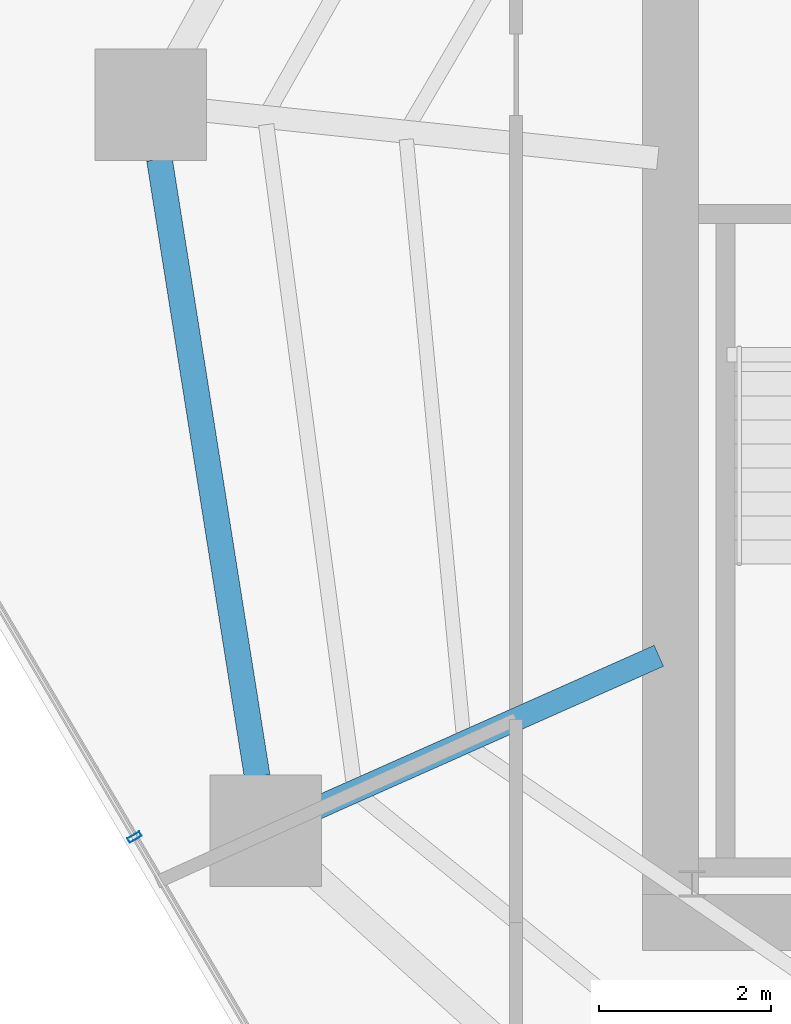
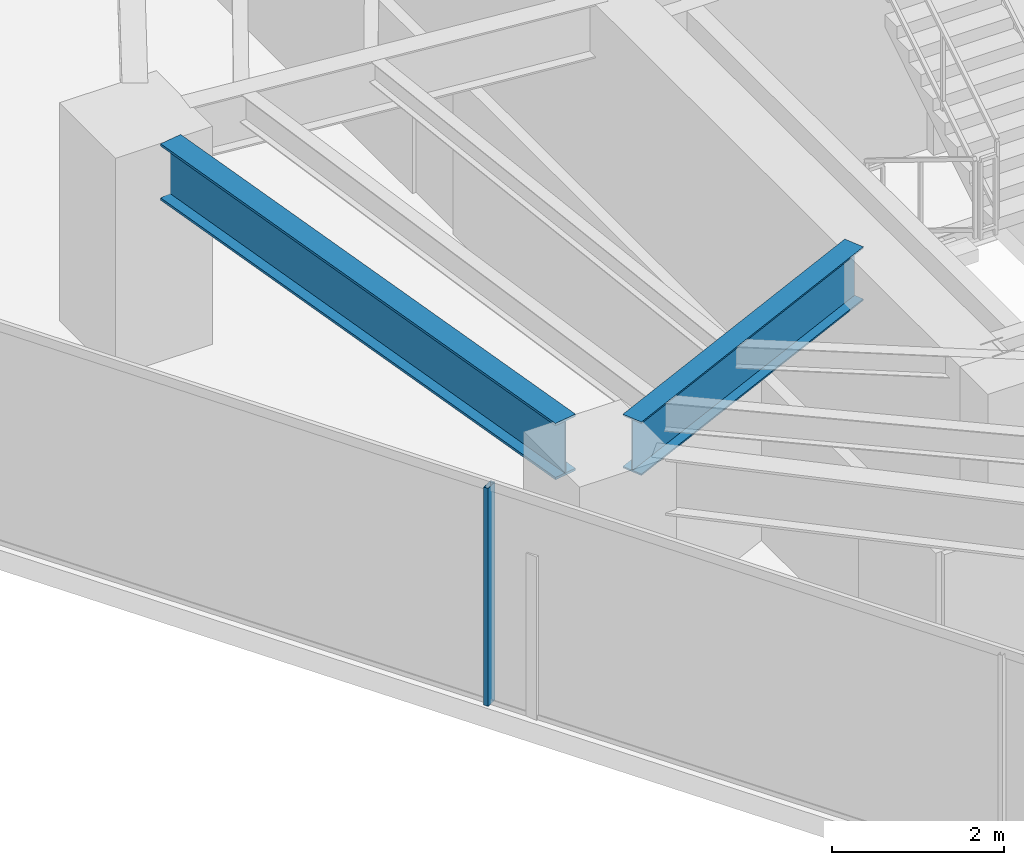
# One storey, part 7 of 31: 2 beams, 1 member, 1 element without a shape of its own.
"""IFC4 building model written with IfcOpenShell, lengths in metres."""

from ifc_helpers import new_model, si_unit, direction, frame, origin, origin_2d, place, context, subcontext, project, spatial, hollow_rectangle, i_section, extrude, material, layer, layer_set, material_profile, profile_set, type_object, element, aggregate, save


model = new_model("IFC4")

# Units and contexts
model_context = context("Model", 3, precision=1e-05, world=origin(), true_north=direction((0.0, 1.0)))
body_context = subcontext(model_context, "Body", "Model", "MODEL_VIEW")
ifc_project = project(units=[si_unit("LENGTHUNIT", "METRE"), si_unit("AREAUNIT", "SQUARE_METRE"), si_unit("VOLUMEUNIT", "CUBIC_METRE"), si_unit("PLANEANGLEUNIT", "RADIAN"), si_unit("MASSUNIT", "GRAM", prefix="KILO")], contexts=[model_context])

# Site, building, storey
site_placement = place(None, origin())
site = spatial("IfcSite", under=ifc_project, at=site_placement, CompositionType="ELEMENT")
building_placement = place(site_placement, origin())
building = spatial("IfcBuilding", under=site, at=building_placement, Name="Qarnah Convention Tower", CompositionType="ELEMENT")
storey_placement = place(building_placement, frame((0.0, 0.0, 68.39990234375)))
storey = spatial("IfcBuildingStorey", under=building, at=storey_placement, Name="L17", CompositionType="ELEMENT", Elevation=68.39990234375)

# Beams
ifc_material_1 = material(Name="Structural steel S355JR", Category="steel")
ifc_material_profile_1 = material_profile(ifc_material_1, i_section(OverallWidth=0.26806640625, OverallDepth=0.760009765625, WebThickness=0.014892578125, FlangeThickness=0.02197265625, at=origin_2d()), Name="W760X185")
ifc_profile_set_1 = profile_set([ifc_material_profile_1], Name="Structural steel S355JR")
beam_type_1 = type_object("IfcBeamType", Name="BM-RAD-W760", PredefinedType="BEAM", material=ifc_profile_set_1)
beam_1_placement = place(storey_placement, frame((26.6630859375, 21.708984375, 2.710205078125), z_axis=(-0.913519753242, -0.406794371195, 0.0), x_axis=(0.406794371195, -0.913519753242, 0.0)))
element("IfcBeam", 1, at=beam_1_placement, inside=storey, type_object=beam_type_1, Name="L17 beam BM-L17-RAD-06", PredefinedType="BEAM", context=body_context, shape_type="SweptSolid", body=[
    extrude(i_section(OverallWidth=0.26806640625, OverallDepth=0.760009765625, WebThickness=0.014892578125, FlangeThickness=0.02197265625, at=origin_2d()), origin(), (0.0, 0.0, 1.0), 4.38525390625),
])
ifc_material_profile_2 = material_profile(ifc_material_1, i_section(OverallWidth=0.300048828125, OverallDepth=0.800048828125, WebThickness=0.01806640625, FlangeThickness=0.032958984375, at=origin_2d()), Name="HEB800")
ifc_profile_set_2 = profile_set([ifc_material_profile_2], Name="Structural steel S355JR")
beam_type_2 = type_object("IfcBeamType", Name="BM-RING-HEB800", PredefinedType="BEAM", material=ifc_profile_set_2)
beam_2_placement = place(storey_placement, frame((20.841064453125, 27.498046875, 2.690185546875), z_axis=(0.156433977502, -0.987688417814, 0.0), x_axis=(0.987688417814, 0.156433977502, 0.0)))
element("IfcBeam", 2, at=beam_2_placement, inside=storey, type_object=beam_type_2, Name="L17 beam BM-L17-SPN-05", PredefinedType="BEAM", context=body_context, shape_type="SweptSolid", body=[
    extrude(i_section(OverallWidth=0.300048828125, OverallDepth=0.800048828125, WebThickness=0.01806640625, FlangeThickness=0.032958984375, at=origin_2d()), origin(), (0.0, 0.0, 1.0), 7.28662109375),
])

# Curtain wall, member
ifc_material_2 = material(Name="Tempered Low-E dark glass", Category="glass")
ifc_layer = layer(ifc_material_2, 0.16796875)
ifc_layer_set = layer_set([ifc_layer], Name="Tempered Low-E dark glass")
curtain_wall_type = type_object("IfcCurtainWallType", Name="CWS-01", PredefinedType="NOTDEFINED", material=ifc_layer_set)
curtain_wall_placement = place(storey_placement, origin())
curtain_wall = element("IfcCurtainWall", 3, at=curtain_wall_placement, inside=storey, type_object=curtain_wall_type, Name="L17 unitised curtain wall CW-L17-F3", PredefinedType="NOTDEFINED")
ifc_material_3 = material(Name="Black anodised aluminium", Category="aluminium")
ifc_material_profile_3 = material_profile(ifc_material_3, hollow_rectangle(XDim=0.06005859375, YDim=0.159912109375, WallThickness=0.00390625, at=origin_2d()), Name="MUL-60X160")
ifc_profile_set_3 = profile_set([ifc_material_profile_3], Name="Black anodised aluminium")
member_type = type_object("IfcMemberType", Name="MUL-T1", PredefinedType="MULLION", material=ifc_profile_set_3)
member_placement = place(storey_placement, frame((20.550537109375, 19.5947265625, 0.0), z_axis=(0.0, 0.0, 1.0), x_axis=(-0.507221231725, 0.861815886421, 0.0)))
member = element("IfcMember", 4, at=member_placement, type_object=member_type, Name="CW-L17-F3 mullion 4", PredefinedType="MULLION", context=body_context, shape_type="SweptSolid", body=[
    extrude(hollow_rectangle(XDim=0.06005859375, YDim=0.159912109375, WallThickness=0.00390625, at=origin_2d()), origin(), (0.0, 0.0, 1.0), 3.090087890625),
])
aggregate(curtain_wall, [member])

save(model, "model.ifc")
